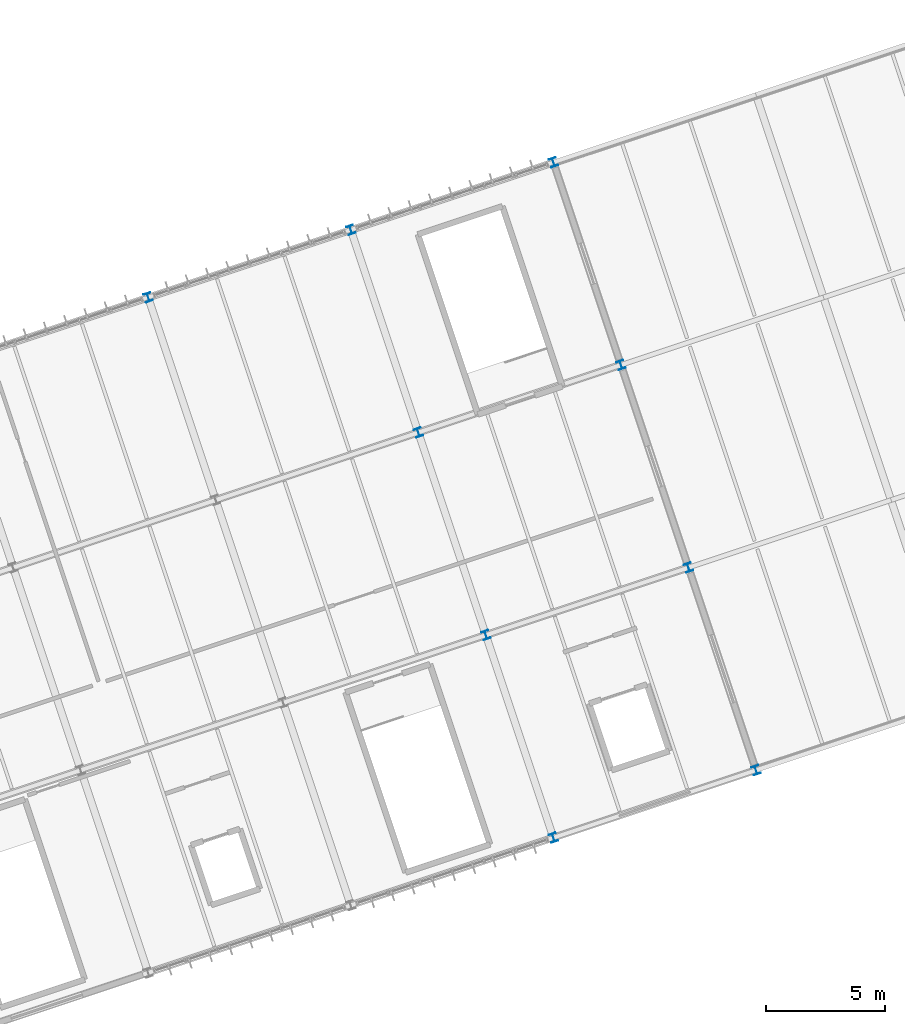
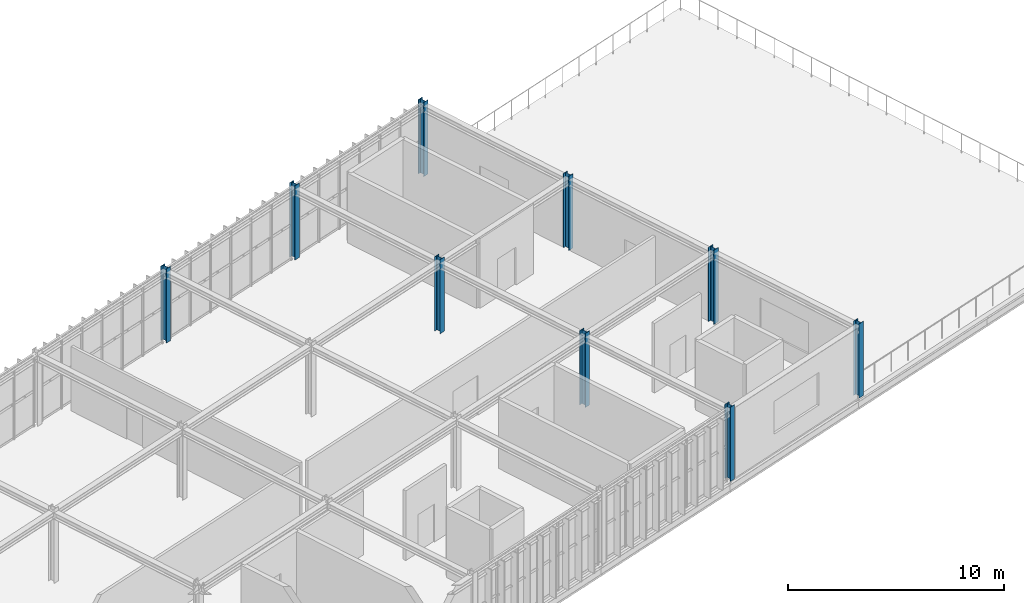
# One storey, part 2 of 61: 9 columns.
"""IFC4 building model written with IfcOpenShell, lengths in metres."""

import ifcopenshell
import ifcopenshell.guid

model = None  # the IFC model being written
_history = None  # IfcOwnerHistory: only IFC2X3 demands one
_inside = {}  # id of a spatial element -> (the spatial element, [elements in it])
_under = {}  # id of a project, library or spatial element -> (it, [spatial elements below it])
_declared = {}  # id of a project -> (the project, [libraries it declares])
_typed = {}  # id of a type object -> (the type object, [elements of that type])
_made_of = {}  # id of a material, layer set ... -> (it, [elements and type objects made of it])


def new_model(schema):
    """Start an empty IFC model of exactly this schema.

    Asked for "IFC4X3", IfcOpenShell would pick the latest addendum, in which some entities
    have other attributes; the version numbers below select the first issue.
    IFC2X3 requires an IfcOwnerHistory on every rooted entity: one is made here for all.
    """
    global model, _history
    if schema == "IFC4X3":
        model = ifcopenshell.file(schema_version=(4, 3, 0, 0))
    else:
        model = ifcopenshell.file(schema=schema)
    _inside.clear()
    _under.clear()
    _declared.clear()
    _typed.clear()
    _made_of.clear()
    _history = None
    if model.schema == "IFC2X3":
        org = make("IfcOrganization", Name="unknown")
        user = make(
            "IfcPersonAndOrganization",
            ThePerson=make("IfcPerson", FamilyName="unknown"),
            TheOrganization=org,
        )
        app = make(
            "IfcApplication",
            ApplicationDeveloper=org,
            Version="unknown",
            ApplicationFullName="unknown",
            ApplicationIdentifier="unknown",
        )
        _history = make(
            "IfcOwnerHistory",
            OwningUser=user,
            OwningApplication=app,
            ChangeAction="ADDED",
            CreationDate=0,
        )
    return model


def make(cls, **values):
    """One entity of the class cls with the attributes given. An attribute that is None is left unset."""
    return model.create_entity(
        cls, **{name: value for name, value in values.items() if value is not None}
    )


def rooted(cls, **values):
    """An entity with a GlobalId (a new one), such as an element, a storey or a relation."""
    return make(cls, GlobalId=ifcopenshell.guid.new(), OwnerHistory=_history, **values)


def si_unit(unit_type, name, prefix=None):
    """IfcSIUnit, for example si_unit("LENGTHUNIT", "METRE", prefix="MILLI")."""
    return make("IfcSIUnit", UnitType=unit_type, Prefix=prefix, Name=name)


def derived_unit(unit_type, elements):
    """IfcDerivedUnit: a product of units, each with its exponent."""
    return make(
        "IfcDerivedUnit",
        Elements=[
            make("IfcDerivedUnitElement", Unit=unit, Exponent=power)
            for unit, power in elements
        ],
        UnitType=unit_type,
    )


def assignment(units):
    """IfcUnitAssignment: the units of a project."""
    return None if units is None else make("IfcUnitAssignment", Units=units)


def point(xyz):
    """IfcCartesianPoint."""
    return None if xyz is None else make("IfcCartesianPoint", Coordinates=xyz)


def direction(xyz):
    """IfcDirection."""
    return None if xyz is None else make("IfcDirection", DirectionRatios=xyz)


def frame(location, z_axis=None, x_axis=None):
    """IfcAxis2Placement3D, a coordinate frame: its origin and axes. An axis left out is left unset."""
    return make(
        "IfcAxis2Placement3D",
        Location=point(location),
        Axis=direction(z_axis),
        RefDirection=direction(x_axis),
    )


def frame_2d(location, x_axis=None):
    """IfcAxis2Placement2D, a coordinate frame in the plane: its origin and x axis."""
    return make(
        "IfcAxis2Placement2D", Location=point(location), RefDirection=direction(x_axis)
    )


def origin():
    """The frame at (0, 0, 0) with its axes left unset."""
    return frame((0.0, 0.0, 0.0))


def origin_2d():
    """The frame at (0, 0) in the plane with its x axis left unset."""
    return frame_2d((0.0, 0.0))


def place(relative_to, where):
    """IfcLocalPlacement: puts the frame where relative to a parent placement (None: the world)."""
    return make(
        "IfcLocalPlacement", PlacementRelTo=relative_to, RelativePlacement=where
    )


def context(
    kind, dimensions, precision=None, world=None, true_north=None, identifier=None
):
    """IfcGeometricRepresentationContext, for example the 3D "Model" context."""
    return make(
        "IfcGeometricRepresentationContext",
        ContextIdentifier=identifier,
        ContextType=kind,
        CoordinateSpaceDimension=dimensions,
        Precision=precision,
        WorldCoordinateSystem=world,
        TrueNorth=true_north,
    )


def subcontext(parent, identifier, kind, view, scale=None):
    """IfcGeometricRepresentationSubContext, for example "Body" below "Model"."""
    return make(
        "IfcGeometricRepresentationSubContext",
        ContextIdentifier=identifier,
        ContextType=kind,
        ParentContext=parent,
        TargetScale=scale,
        TargetView=view,
    )


def project(units=None, contexts=None):
    """IfcProject with its units and contexts."""
    return rooted(
        "IfcProject",
        Name="project",
        RepresentationContexts=contexts,
        UnitsInContext=assignment(units),
    )


def spatial(cls, under=None, at=None, **own):
    """A site, building, storey or space (cls), placed at a placement, below another one or the project."""
    s = rooted(cls, ObjectPlacement=at, **own)
    if under is not None:
        _under.setdefault(under.id(), (under, []))[1].append(s)
    return s


def profile(cls, at=None, kind="AREA", **sizes):
    """A parametric profile (cls). Its sizes go by their IFC names, for example OverallWidth=200.0."""
    return make(cls, ProfileType=kind, Position=at, **sizes)


def i_section(**sizes):
    """IfcIShapeProfileDef."""
    return profile("IfcIShapeProfileDef", **sizes)


def extrude(swept, where, along, depth):
    """IfcExtrudedAreaSolid: the profile swept, set in the frame where, extruded along a direction by depth."""
    return make(
        "IfcExtrudedAreaSolid",
        SweptArea=swept,
        Position=where,
        ExtrudedDirection=direction(along),
        Depth=depth,
    )


def shape(context_of_items, identifier, shape_type, items):
    """IfcShapeRepresentation: the items that make up one representation, for example the "Body"."""
    return make(
        "IfcShapeRepresentation",
        ContextOfItems=context_of_items,
        RepresentationIdentifier=identifier,
        RepresentationType=shape_type,
        Items=items,
    )


def material(Name=None, Category=None):
    """IfcMaterial."""
    return make("IfcMaterial", Name=Name, Category=Category)


def material_profile(
    of_material, cross_section, Name=None, Category=None, Priority=None
):
    """IfcMaterialProfile: a cross section and its material."""
    return make(
        "IfcMaterialProfile",
        Name=Name,
        Material=of_material,
        Profile=cross_section,
        Priority=Priority,
        Category=Category,
    )


def profile_set(profiles, Name=None, composite=None):
    """IfcMaterialProfileSet."""
    return make(
        "IfcMaterialProfileSet",
        Name=Name,
        MaterialProfiles=profiles,
        CompositeProfile=composite,
    )


def made_of(thing, what):
    """Note that an element or type object is made of a material, layer set ...; save() writes the relation."""
    if what is not None:
        _made_of.setdefault(what.id(), (what, []))[1].append(thing)
    return thing


def type_object(cls, material=None, **own):
    """A type object (cls), such as IfcWallType, which elements share."""
    return made_of(rooted(cls, **own), material)


def element(
    cls,
    number,
    at=None,
    inside=None,
    cuts=None,
    type_object=None,
    material=None,
    context=None,
    identifier="Body",
    shape_type=None,
    held_by="IfcProductDefinitionShape",
    body=None,
    shapes=None,
    **own,
):
    """One element of the class cls, such as IfcWall. Its Tag is "e" and its number.

    at: its placement. inside: the storey or other place that contains it. cuts: it is an
    opening in that element (IfcRelVoidsElement). A single representation is given by context,
    identifier, shape_type and body (its items); several are given by shapes. held_by: the class
    of the entity that holds the representations. save() writes the other relations.
    """
    e = rooted(cls, Tag="e%d" % number, ObjectPlacement=at, **own)
    if body is not None:
        shapes = [shape(context, identifier, shape_type, body)]
    if shapes is not None:
        e.Representation = make(held_by, Representations=shapes)
    if inside is not None:
        _inside.setdefault(inside.id(), (inside, []))[1].append(e)
    if cuts is not None:
        rooted(
            "IfcRelVoidsElement", RelatingBuildingElement=cuts, RelatedOpeningElement=e
        )
    if type_object is not None:
        _typed.setdefault(type_object.id(), (type_object, []))[1].append(e)
    return made_of(e, material)


def aggregate(whole, parts):
    """IfcRelAggregates: a whole, such as a stair, and the parts it consists of."""
    return rooted("IfcRelAggregates", RelatingObject=whole, RelatedObjects=parts)


def save(model, path):
    """Write the relations noted so far, then the file.

    IfcRelAggregates (storeys below a building ...), IfcRelContainedInSpatialStructure (elements
    in a storey), IfcRelDefinesByType, IfcRelAssociatesMaterial and IfcRelDeclares: one each for
    every whole, place, type object, material and project.
    """
    for whole, parts in _under.values():
        aggregate(whole, parts)
    for where, things in _inside.values():
        rooted(
            "IfcRelContainedInSpatialStructure",
            RelatedElements=things,
            RelatingStructure=where,
        )
    for kind, things in _typed.values():
        rooted("IfcRelDefinesByType", RelatedObjects=things, RelatingType=kind)
    for what, things in _made_of.values():
        rooted("IfcRelAssociatesMaterial", RelatedObjects=things, RelatingMaterial=what)
    for by, libraries in _declared.values():
        rooted("IfcRelDeclares", RelatingContext=by, RelatedDefinitions=libraries)
    model.write(path)


model = new_model("IFC4")

# Units and contexts
model_context = context("Model", 3, precision=1e-05, world=origin(), true_north=direction((0.0, 1.0)))
body_context = subcontext(model_context, "Body", "Model", "MODEL_VIEW")
ifc_project = project(units=[si_unit("LENGTHUNIT", "METRE"), si_unit("AREAUNIT", "SQUARE_METRE"), si_unit("VOLUMEUNIT", "CUBIC_METRE"), si_unit("PLANEANGLEUNIT", "RADIAN"), si_unit("MASSUNIT", "GRAM", prefix="KILO"), si_unit("THERMODYNAMICTEMPERATUREUNIT", "KELVIN"), si_unit("TIMEUNIT", "SECOND"), derived_unit("THERMALTRANSMITTANCEUNIT", [(si_unit("MASSUNIT", "GRAM", prefix="KILO"), 1), (si_unit("THERMODYNAMICTEMPERATUREUNIT", "KELVIN"), -1), (si_unit("TIMEUNIT", "SECOND"), -3)])], contexts=[model_context])

# Site, building, storey
site_placement = place(None, origin())
site = spatial("IfcSite", under=ifc_project, at=site_placement, CompositionType="ELEMENT")
building_placement = place(site_placement, origin())
building = spatial("IfcBuilding", under=site, at=building_placement, Name="Cambertide Market Hall", CompositionType="ELEMENT")
storey_placement = place(building_placement, frame((0.0, 0.0, 9.89990234375)))
storey = spatial("IfcBuildingStorey", under=building, at=storey_placement, Name="L03", CompositionType="ELEMENT", Elevation=9.89990234375)

# Columns
ifc_material_1 = material(Name="Steel S355", Category="steel")
ifc_material_profile_1 = material_profile(ifc_material_1, i_section(OverallWidth=0.300048828125, OverallDepth=0.360107421875, WebThickness=0.012451171875, FlangeThickness=0.0224609375, FilletRadius=0.027099609375, at=origin_2d()), Name="HEB 360")
ifc_profile_set_1 = profile_set([ifc_material_profile_1], Name="Steel S355")
column_type_1 = type_object("IfcColumnType", Name="Exterior Steel Column HEB 360", PredefinedType="COLUMN", material=ifc_profile_set_1)
for number, where, z_axis, x_axis, name in (
    (1, (123.076416015625, 46.152587890625, 0.0), (0.0, 0.0, 1.0), (0.94868329805, 0.316227766018, 0.0), "Level 3 Column COL-V3-4-4-L03"),
    (2, (140.152587890625, 23.38427734375, 0.0), (0.0, 0.0, 1.0), (0.94868329805, 0.316227766018, 0.0), "Level 3 Column COL-V3-5-1-L03"),
    (3, (131.614501953125, 48.99853515625, 0.0), (0.0, 0.0, 1.0), (0.94868329805, 0.316227766018, 0.0), "Level 3 Column COL-V3-5-4-L03"),
    (4, (148.690673828125, 26.230224609375, 0.0), (0.0, 0.0, 1.0), (0.94868329805, 0.316227766018, 0.0), "Level 3 Column COL-V3-6-1-L03"),
    (5, (145.8447265625, 34.768310546875, 0.0), (0.0, 0.0, 1.0), (0.94868329805, 0.316227766018, 0.0), "Level 3 Column COL-V3-6-2-L03"),
    (6, (142.99853515625, 43.306640625, 0.0), (0.0, 0.0, 1.0), (0.94868329805, 0.316227766018, 0.0), "Level 3 Column COL-V3-6-3-L03"),
    (7, (140.152587890625, 51.8447265625, 0.0), (0.0, 0.0, 1.0), (0.94868329805, 0.316227766018, 0.0), "Level 3 Column COL-V3-6-4-L03"),
):
    element("IfcColumn", number, at=place(storey_placement, frame(where, z_axis=z_axis, x_axis=x_axis)), inside=storey, type_object=column_type_1, Name=name, PredefinedType="COLUMN", context=body_context, shape_type="SweptSolid", body=[
        extrude(i_section(OverallWidth=0.300048828125, OverallDepth=0.360107421875, WebThickness=0.012451171875, FlangeThickness=0.0224609375, FilletRadius=0.027099609375, at=origin_2d()), origin(), (0.0, 0.0, 1.0), 4.2001953125),
    ])
ifc_material_2 = material(Name="Steel S355", Category="steel")
ifc_material_profile_2 = material_profile(ifc_material_2, i_section(OverallWidth=0.300048828125, OverallDepth=0.360107421875, WebThickness=0.012451171875, FlangeThickness=0.0224609375, FilletRadius=0.027099609375, at=origin_2d()), Name="HEB 360")
ifc_profile_set_2 = profile_set([ifc_material_profile_2], Name="Steel S355")
column_type_2 = type_object("IfcColumnType", Name="Steel Column HEB 360", PredefinedType="COLUMN", material=ifc_profile_set_2)
for number, where, z_axis, x_axis, name in (
    (8, (137.306640625, 31.92236328125, 0.0), (0.0, 0.0, 1.0), (0.94868329805, 0.316227766018, 0.0), "Level 3 Column COL-V3-5-2-L03"),
    (9, (134.46044921875, 40.46044921875, 0.0), (0.0, 0.0, 1.0), (0.94868329805, 0.316227766018, 0.0), "Level 3 Column COL-V3-5-3-L03"),
):
    element("IfcColumn", number, at=place(storey_placement, frame(where, z_axis=z_axis, x_axis=x_axis)), inside=storey, type_object=column_type_2, Name=name, PredefinedType="COLUMN", context=body_context, shape_type="SweptSolid", body=[
        extrude(i_section(OverallWidth=0.300048828125, OverallDepth=0.360107421875, WebThickness=0.012451171875, FlangeThickness=0.0224609375, FilletRadius=0.027099609375, at=origin_2d()), origin(), (0.0, 0.0, 1.0), 4.2001953125),
    ])

save(model, "model.ifc")
